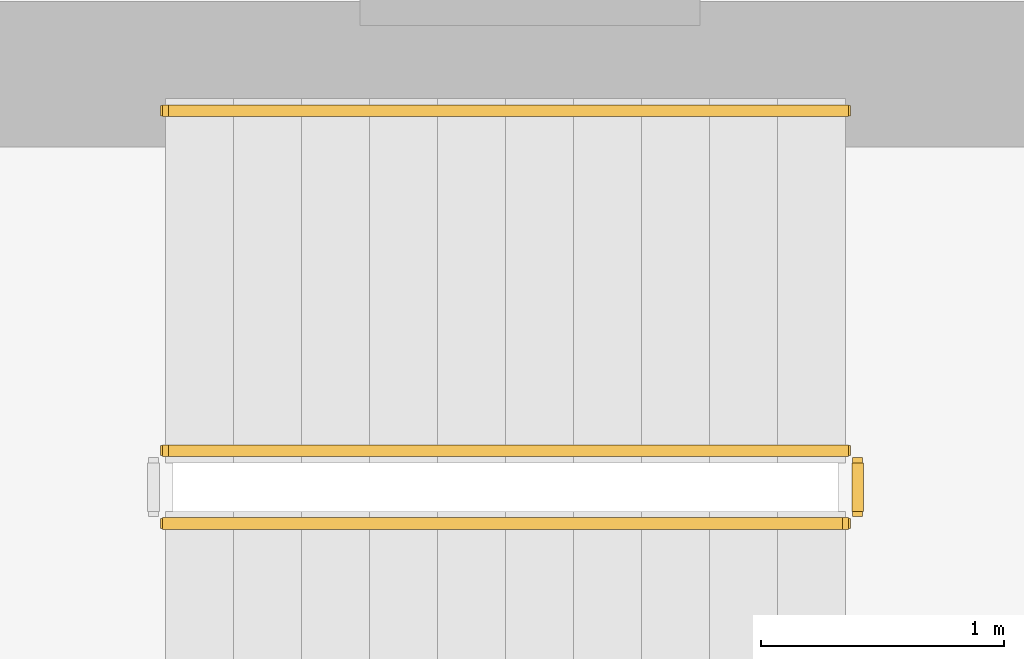
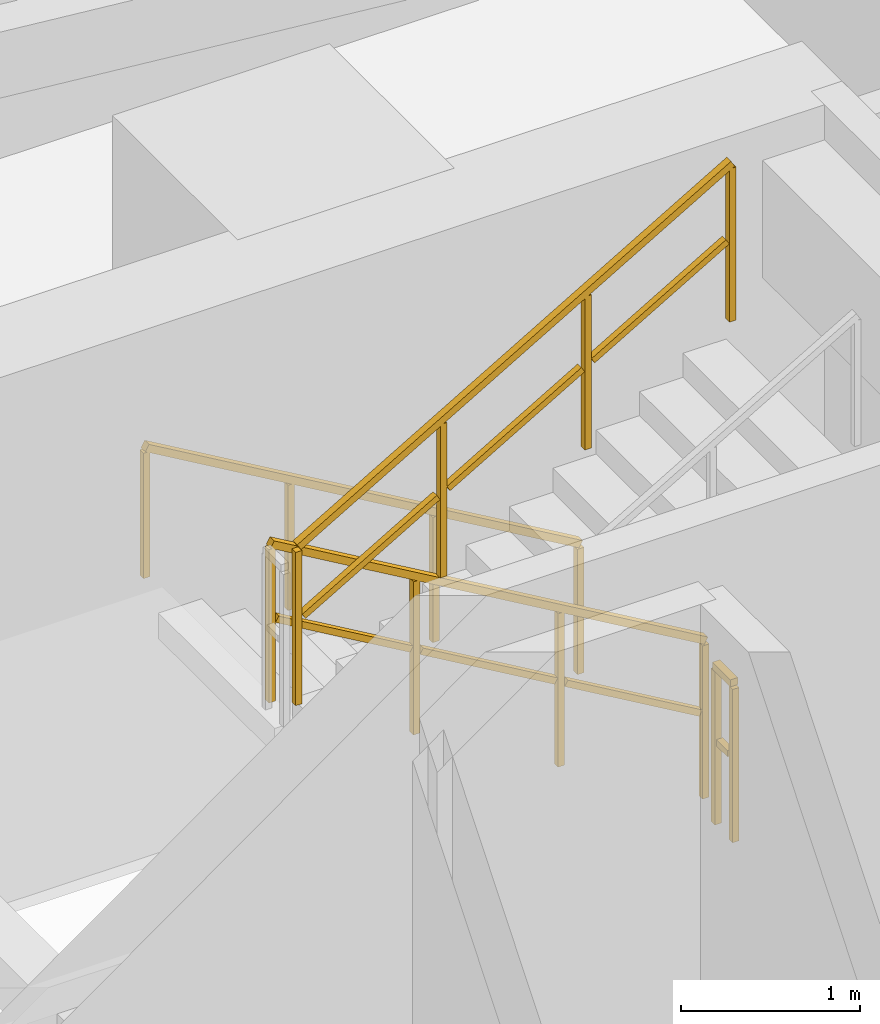
# One storey, part 32 of 34: 4 railings.
"""IFC4 building model written with IfcOpenShell, lengths in metres."""

import ifcopenshell
import ifcopenshell.guid

model = None  # the IFC model being written
_history = None  # IfcOwnerHistory: only IFC2X3 demands one
_inside = {}  # id of a spatial element -> (the spatial element, [elements in it])
_under = {}  # id of a project, library or spatial element -> (it, [spatial elements below it])
_declared = {}  # id of a project -> (the project, [libraries it declares])
_typed = {}  # id of a type object -> (the type object, [elements of that type])
_made_of = {}  # id of a material, layer set ... -> (it, [elements and type objects made of it])


def new_model(schema):
    """Start an empty IFC model of exactly this schema.

    Asked for "IFC4X3", IfcOpenShell would pick the latest addendum, in which some entities
    have other attributes; the version numbers below select the first issue.
    IFC2X3 requires an IfcOwnerHistory on every rooted entity: one is made here for all.
    """
    global model, _history
    if schema == "IFC4X3":
        model = ifcopenshell.file(schema_version=(4, 3, 0, 0))
    else:
        model = ifcopenshell.file(schema=schema)
    _inside.clear()
    _under.clear()
    _declared.clear()
    _typed.clear()
    _made_of.clear()
    _history = None
    if model.schema == "IFC2X3":
        org = make("IfcOrganization", Name="unknown")
        user = make(
            "IfcPersonAndOrganization",
            ThePerson=make("IfcPerson", FamilyName="unknown"),
            TheOrganization=org,
        )
        app = make(
            "IfcApplication",
            ApplicationDeveloper=org,
            Version="unknown",
            ApplicationFullName="unknown",
            ApplicationIdentifier="unknown",
        )
        _history = make(
            "IfcOwnerHistory",
            OwningUser=user,
            OwningApplication=app,
            ChangeAction="ADDED",
            CreationDate=0,
        )
    return model


def make(cls, **values):
    """One entity of the class cls with the attributes given. An attribute that is None is left unset."""
    return model.create_entity(
        cls, **{name: value for name, value in values.items() if value is not None}
    )


def rooted(cls, **values):
    """An entity with a GlobalId (a new one), such as an element, a storey or a relation."""
    return make(cls, GlobalId=ifcopenshell.guid.new(), OwnerHistory=_history, **values)


def si_unit(unit_type, name, prefix=None):
    """IfcSIUnit, for example si_unit("LENGTHUNIT", "METRE", prefix="MILLI")."""
    return make("IfcSIUnit", UnitType=unit_type, Prefix=prefix, Name=name)


def assignment(units):
    """IfcUnitAssignment: the units of a project."""
    return None if units is None else make("IfcUnitAssignment", Units=units)


def point(xyz):
    """IfcCartesianPoint."""
    return None if xyz is None else make("IfcCartesianPoint", Coordinates=xyz)


def direction(xyz):
    """IfcDirection."""
    return None if xyz is None else make("IfcDirection", DirectionRatios=xyz)


def frame(location, z_axis=None, x_axis=None):
    """IfcAxis2Placement3D, a coordinate frame: its origin and axes. An axis left out is left unset."""
    return make(
        "IfcAxis2Placement3D",
        Location=point(location),
        Axis=direction(z_axis),
        RefDirection=direction(x_axis),
    )


def frame_2d(location, x_axis=None):
    """IfcAxis2Placement2D, a coordinate frame in the plane: its origin and x axis."""
    return make(
        "IfcAxis2Placement2D", Location=point(location), RefDirection=direction(x_axis)
    )


def origin():
    """The frame at (0, 0, 0) with its axes left unset."""
    return frame((0.0, 0.0, 0.0))


def origin_2d():
    """The frame at (0, 0) in the plane with its x axis left unset."""
    return frame_2d((0.0, 0.0))


def place(relative_to, where):
    """IfcLocalPlacement: puts the frame where relative to a parent placement (None: the world)."""
    return make(
        "IfcLocalPlacement", PlacementRelTo=relative_to, RelativePlacement=where
    )


def context(
    kind, dimensions, precision=None, world=None, true_north=None, identifier=None
):
    """IfcGeometricRepresentationContext, for example the 3D "Model" context."""
    return make(
        "IfcGeometricRepresentationContext",
        ContextIdentifier=identifier,
        ContextType=kind,
        CoordinateSpaceDimension=dimensions,
        Precision=precision,
        WorldCoordinateSystem=world,
        TrueNorth=true_north,
    )


def subcontext(parent, identifier, kind, view, scale=None):
    """IfcGeometricRepresentationSubContext, for example "Body" below "Model"."""
    return make(
        "IfcGeometricRepresentationSubContext",
        ContextIdentifier=identifier,
        ContextType=kind,
        ParentContext=parent,
        TargetScale=scale,
        TargetView=view,
    )


def project(units=None, contexts=None):
    """IfcProject with its units and contexts."""
    return rooted(
        "IfcProject",
        Name="project",
        RepresentationContexts=contexts,
        UnitsInContext=assignment(units),
    )


def spatial(cls, under=None, at=None, **own):
    """A site, building, storey or space (cls), placed at a placement, below another one or the project."""
    s = rooted(cls, ObjectPlacement=at, **own)
    if under is not None:
        _under.setdefault(under.id(), (under, []))[1].append(s)
    return s


def profile(cls, at=None, kind="AREA", **sizes):
    """A parametric profile (cls). Its sizes go by their IFC names, for example OverallWidth=200.0."""
    return make(cls, ProfileType=kind, Position=at, **sizes)


def rectangle(**sizes):
    """IfcRectangleProfileDef."""
    return profile("IfcRectangleProfileDef", **sizes)


def extrude(swept, where, along, depth):
    """IfcExtrudedAreaSolid: the profile swept, set in the frame where, extruded along a direction by depth."""
    return make(
        "IfcExtrudedAreaSolid",
        SweptArea=swept,
        Position=where,
        ExtrudedDirection=direction(along),
        Depth=depth,
    )


def shape(context_of_items, identifier, shape_type, items):
    """IfcShapeRepresentation: the items that make up one representation, for example the "Body"."""
    return make(
        "IfcShapeRepresentation",
        ContextOfItems=context_of_items,
        RepresentationIdentifier=identifier,
        RepresentationType=shape_type,
        Items=items,
    )


def material(Name=None, Category=None):
    """IfcMaterial."""
    return make("IfcMaterial", Name=Name, Category=Category)


def made_of(thing, what):
    """Note that an element or type object is made of a material, layer set ...; save() writes the relation."""
    if what is not None:
        _made_of.setdefault(what.id(), (what, []))[1].append(thing)
    return thing


def type_object(cls, material=None, **own):
    """A type object (cls), such as IfcWallType, which elements share."""
    return made_of(rooted(cls, **own), material)


def element(
    cls,
    number,
    at=None,
    inside=None,
    cuts=None,
    type_object=None,
    material=None,
    context=None,
    identifier="Body",
    shape_type=None,
    held_by="IfcProductDefinitionShape",
    body=None,
    shapes=None,
    **own,
):
    """One element of the class cls, such as IfcWall. Its Tag is "e" and its number.

    at: its placement. inside: the storey or other place that contains it. cuts: it is an
    opening in that element (IfcRelVoidsElement). A single representation is given by context,
    identifier, shape_type and body (its items); several are given by shapes. held_by: the class
    of the entity that holds the representations. save() writes the other relations.
    """
    e = rooted(cls, Tag="e%d" % number, ObjectPlacement=at, **own)
    if body is not None:
        shapes = [shape(context, identifier, shape_type, body)]
    if shapes is not None:
        e.Representation = make(held_by, Representations=shapes)
    if inside is not None:
        _inside.setdefault(inside.id(), (inside, []))[1].append(e)
    if cuts is not None:
        rooted(
            "IfcRelVoidsElement", RelatingBuildingElement=cuts, RelatedOpeningElement=e
        )
    if type_object is not None:
        _typed.setdefault(type_object.id(), (type_object, []))[1].append(e)
    return made_of(e, material)


def aggregate(whole, parts):
    """IfcRelAggregates: a whole, such as a stair, and the parts it consists of."""
    return rooted("IfcRelAggregates", RelatingObject=whole, RelatedObjects=parts)


def save(model, path):
    """Write the relations noted so far, then the file.

    IfcRelAggregates (storeys below a building ...), IfcRelContainedInSpatialStructure (elements
    in a storey), IfcRelDefinesByType, IfcRelAssociatesMaterial and IfcRelDeclares: one each for
    every whole, place, type object, material and project.
    """
    for whole, parts in _under.values():
        aggregate(whole, parts)
    for where, things in _inside.values():
        rooted(
            "IfcRelContainedInSpatialStructure",
            RelatedElements=things,
            RelatingStructure=where,
        )
    for kind, things in _typed.values():
        rooted("IfcRelDefinesByType", RelatedObjects=things, RelatingType=kind)
    for what, things in _made_of.values():
        rooted("IfcRelAssociatesMaterial", RelatedObjects=things, RelatingMaterial=what)
    for by, libraries in _declared.values():
        rooted("IfcRelDeclares", RelatingContext=by, RelatedDefinitions=libraries)
    model.write(path)


model = new_model("IFC4")

# Units and contexts
model_context = context("Model", 3, precision=1e-05, world=origin(), true_north=direction((0.0, 1.0)))
body_context = subcontext(model_context, "Body", "Model", "MODEL_VIEW")
ifc_project = project(units=[si_unit("LENGTHUNIT", "METRE"), si_unit("AREAUNIT", "SQUARE_METRE"), si_unit("VOLUMEUNIT", "CUBIC_METRE"), si_unit("PLANEANGLEUNIT", "RADIAN"), si_unit("MASSUNIT", "GRAM", prefix="KILO")], contexts=[model_context])

# Site, building, storey
site_placement = place(None, origin())
site = spatial("IfcSite", under=ifc_project, at=site_placement, CompositionType="ELEMENT")
building_placement = place(site_placement, origin())
building = spatial("IfcBuilding", under=site, at=building_placement, Name="Thornwick Lancets Civic Towers", CompositionType="ELEMENT")
storey_placement = place(building_placement, frame((0.0, 0.0, 53.699951171875)))
storey = spatial("IfcBuildingStorey", under=building, at=storey_placement, Name="L13", CompositionType="ELEMENT", Elevation=53.699951171875)

# Railings
ifc_material_1 = material(Name="Brushed stainless steel S355", Category="steel")
railing_type_1 = type_object("IfcRailingType", Name="RAIL_HANDRAIL", PredefinedType="HANDRAIL", material=ifc_material_1)
railing_1_placement = place(storey_placement, frame((31.60009765625, 38.949951171875, 0.16357421875)))
element("IfcRailing", 1, at=railing_1_placement, inside=storey, type_object=railing_type_1, Name="L13 ST-A2 stair handrail 1", PredefinedType="HANDRAIL", context=body_context, shape_type="SweptSolid", body=[
    extrude(rectangle(XDim=0.048095703125, YDim=0.048095703125, at=origin_2d()), frame((0.0, 0.0, 0.8857421875), z_axis=(-0.863360870873, 0.0, 0.504586966384), x_axis=(0.0, -1.0, 0.0)), (0.0, 0.0, 1.0), 3.2431640625),
    extrude(rectangle(XDim=0.0419921875, YDim=0.0419921875, at=origin_2d()), origin(), (0.0, 0.0, 1.0), 0.855712890625),
    extrude(rectangle(XDim=0.0419921875, YDim=0.0419921875, at=origin_2d()), frame((-0.933349609375, 0.0, 0.54541015625)), (0.0, 0.0, 1.0), 0.855712890625),
    extrude(rectangle(XDim=0.0419921875, YDim=0.0419921875, at=origin_2d()), frame((-1.86669921875, 0.0, 1.091064453125)), (0.0, 0.0, 1.0), 0.855712890625),
    extrude(rectangle(XDim=0.0419921875, YDim=0.0419921875, at=origin_2d()), frame((-2.800048828125, 0.0, 1.636474609375)), (0.0, 0.0, 1.0), 0.855712890625),
])
ifc_material_2 = material(Name="Steel S355JR", Category="steel")
railing_type_2 = type_object("IfcRailingType", Name="RAIL_STAIR_GUARD", PredefinedType="GUARDRAIL", material=ifc_material_2)
railing_2_placement = place(storey_placement, frame((31.60009765625, 37.550048828125, 0.16357421875)))
element("IfcRailing", 2, at=railing_2_placement, inside=storey, type_object=railing_type_2, Name="L13 ST-A2 stair guard 1", PredefinedType="GUARDRAIL", context=body_context, shape_type="SweptSolid", body=[
    extrude(rectangle(XDim=0.048095703125, YDim=0.048095703125, at=origin_2d()), frame((0.0, 0.0, 1.076171875), z_axis=(-0.863360870873, 0.0, 0.504586966384), x_axis=(0.0, -1.0, 0.0)), (0.0, 0.0, 1.0), 3.2431640625),
    extrude(rectangle(XDim=0.0419921875, YDim=0.0419921875, at=origin_2d()), frame((-0.032470703125, 0.0, 0.591064453125), z_axis=(-0.863360870873, 0.0, 0.504586966384), x_axis=(0.0, -1.0, 0.0)), (0.0, 0.0, 1.0), 1.006103515625),
    extrude(rectangle(XDim=0.0419921875, YDim=0.0419921875, at=origin_2d()), frame((-0.9658203125, 0.0, 1.136474609375), z_axis=(-0.863360870873, 0.0, 0.504586966384), x_axis=(0.0, -1.0, 0.0)), (0.0, 0.0, 1.0), 1.006103515625),
    extrude(rectangle(XDim=0.0419921875, YDim=0.0419921875, at=origin_2d()), frame((-1.899169921875, 0.0, 1.681884765625), z_axis=(-0.863360870873, 0.0, 0.504586966384), x_axis=(0.0, -1.0, 0.0)), (0.0, 0.0, 1.0), 1.006103515625),
    extrude(rectangle(XDim=0.0419921875, YDim=0.0419921875, at=origin_2d()), origin(), (0.0, 0.0, 1.0), 1.0458984375),
    extrude(rectangle(XDim=0.0419921875, YDim=0.0419921875, at=origin_2d()), frame((-0.933349609375, 0.0, 0.54541015625)), (0.0, 0.0, 1.0), 1.0458984375),
    extrude(rectangle(XDim=0.0419921875, YDim=0.0419921875, at=origin_2d()), frame((-1.86669921875, 0.0, 1.091064453125)), (0.0, 0.0, 1.0), 1.0458984375),
    extrude(rectangle(XDim=0.0419921875, YDim=0.0419921875, at=origin_2d()), frame((-2.800048828125, 0.0, 1.636474609375)), (0.0, 0.0, 1.0), 1.0458984375),
])
railing_3_placement = place(storey_placement, frame((28.800048828125, 37.25, 1.963623046875)))
element("IfcRailing", 3, at=railing_3_placement, inside=storey, type_object=railing_type_2, Name="L13 ST-A2 stair guard 3", PredefinedType="GUARDRAIL", context=body_context, shape_type="SweptSolid", body=[
    extrude(rectangle(XDim=0.048095703125, YDim=0.048095703125, at=origin_2d()), frame((0.0, 0.0, 1.076171875), z_axis=(0.863360870873, 0.0, 0.504586966384), x_axis=(0.0, 1.0, 0.0)), (0.0, 0.0, 1.0), 3.2431640625),
    extrude(rectangle(XDim=0.0419921875, YDim=0.0419921875, at=origin_2d()), frame((0.032470703125, 0.0, 0.591064453125), z_axis=(0.863360870873, 0.0, 0.504586966384), x_axis=(0.0, 1.0, 0.0)), (0.0, 0.0, 1.0), 1.006103515625),
    extrude(rectangle(XDim=0.0419921875, YDim=0.0419921875, at=origin_2d()), frame((0.9658203125, 0.0, 1.136474609375), z_axis=(0.863360870873, 0.0, 0.504586966384), x_axis=(0.0, 1.0, 0.0)), (0.0, 0.0, 1.0), 1.006103515625),
    extrude(rectangle(XDim=0.0419921875, YDim=0.0419921875, at=origin_2d()), frame((1.899169921875, 0.0, 1.681884765625), z_axis=(0.863360870873, 0.0, 0.504586966384), x_axis=(0.0, 1.0, 0.0)), (0.0, 0.0, 1.0), 1.006103515625),
    extrude(rectangle(XDim=0.0419921875, YDim=0.0419921875, at=origin_2d()), origin(), (0.0, 0.0, 1.0), 1.0458984375),
    extrude(rectangle(XDim=0.0419921875, YDim=0.0419921875, at=origin_2d()), frame((0.933349609375, 0.0, 0.54541015625)), (0.0, 0.0, 1.0), 1.0458984375),
    extrude(rectangle(XDim=0.0419921875, YDim=0.0419921875, at=origin_2d()), frame((1.86669921875, 0.0, 1.091064453125)), (0.0, 0.0, 1.0), 1.0458984375),
    extrude(rectangle(XDim=0.0419921875, YDim=0.0419921875, at=origin_2d()), frame((2.800048828125, 0.0, 1.636474609375)), (0.0, 0.0, 1.0), 1.0458984375),
])
railing_4_placement = place(storey_placement, frame((31.64990234375, 37.5, 0.0)))
element("IfcRailing", 4, at=railing_4_placement, inside=storey, type_object=railing_type_2, Name="L13 ST-A2 stair guard 4", PredefinedType="GUARDRAIL", context=body_context, shape_type="SweptSolid", body=[
    extrude(rectangle(XDim=0.048095703125, YDim=0.048095703125, at=origin_2d()), frame((0.0, 0.0, 1.076171875), z_axis=(0.0, -1.0, 0.0), x_axis=(1.0, 0.0, 0.0)), (0.0, 0.0, 1.0), 0.199951171875),
    extrude(rectangle(XDim=0.0419921875, YDim=0.0419921875, at=origin_2d()), frame((0.0, -0.03759765625, 0.572021484375), z_axis=(0.0, -1.0, 0.0), x_axis=(1.0, 0.0, 0.0)), (0.0, 0.0, 1.0), 0.125),
    extrude(rectangle(XDim=0.0419921875, YDim=0.0419921875, at=origin_2d()), origin(), (0.0, 0.0, 1.0), 1.0458984375),
    extrude(rectangle(XDim=0.0419921875, YDim=0.0419921875, at=origin_2d()), frame((0.0, -0.199951171875, 0.0)), (0.0, 0.0, 1.0), 1.0458984375),
])

save(model, "model.ifc")
